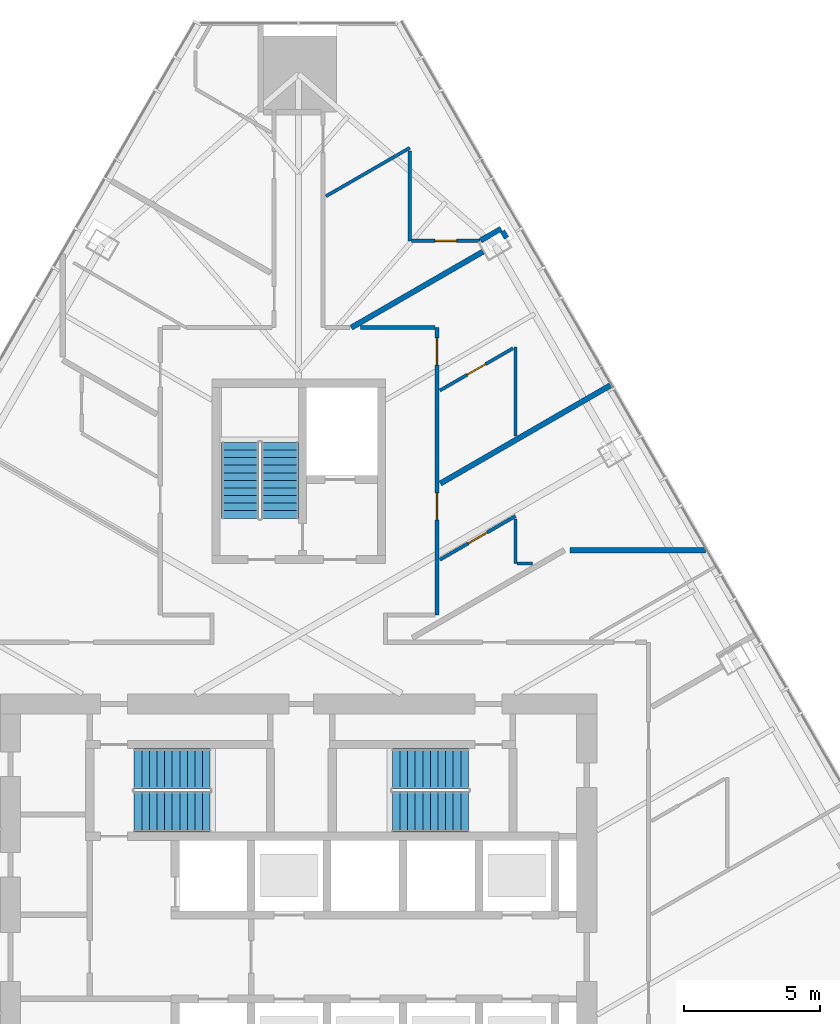
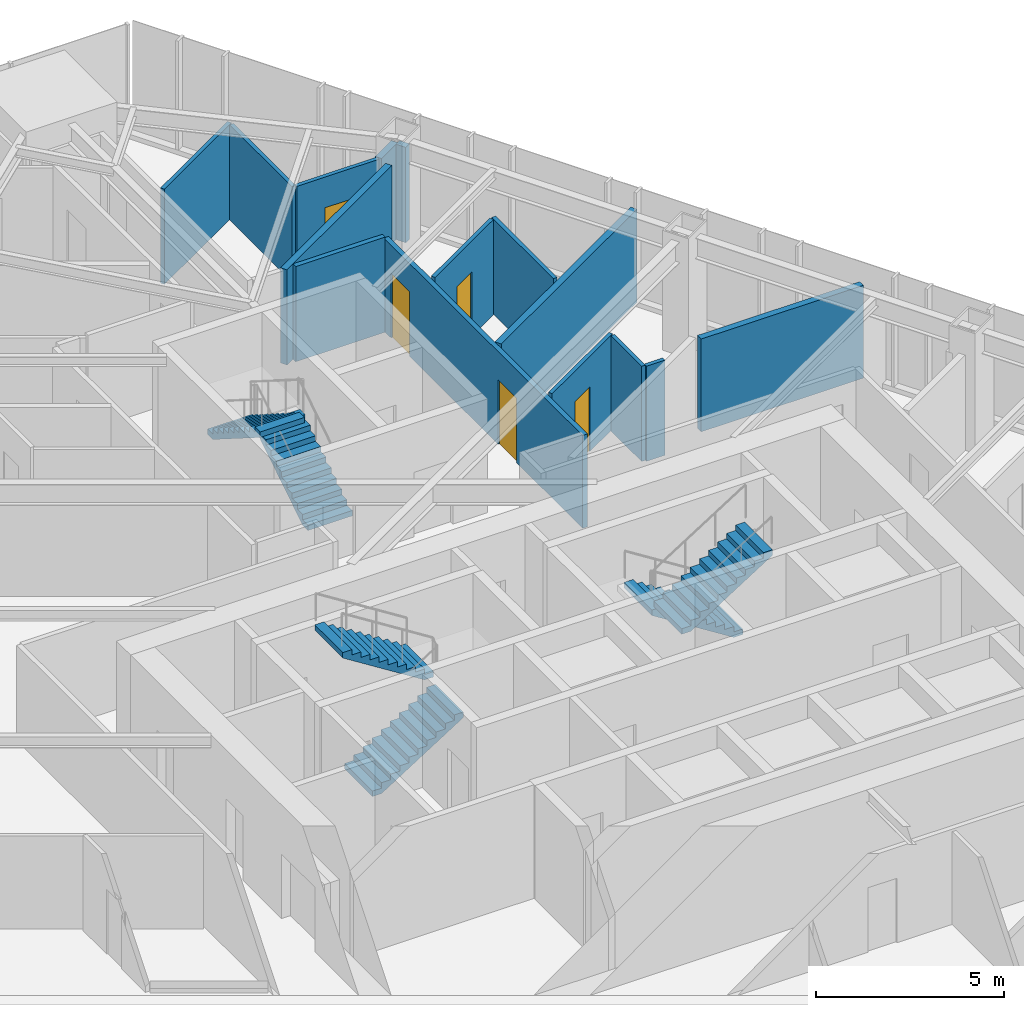
# One storey, part 17 of 19: 15 walls, 6 stair flights, 5 doors, 5 openings, 3 elements without a shape of their own.
"""IFC4 building model written with IfcOpenShell, lengths in metres."""

from ifc_helpers import new_model, si_unit, direction, frame, frame_2d, origin, place, context, subcontext, project, spatial, polyline, rectangle, outline, extrude, material, layer, layer_set, type_object, element, fill, aggregate, save


model = new_model("IFC4")

# Units and contexts
model_context = context("Model", 3, precision=1e-05, world=origin(), true_north=direction((0.0, 1.0)))
body_context = subcontext(model_context, "Body", "Model", "MODEL_VIEW")
ifc_project = project(units=[si_unit("LENGTHUNIT", "METRE"), si_unit("AREAUNIT", "SQUARE_METRE"), si_unit("VOLUMEUNIT", "CUBIC_METRE"), si_unit("PLANEANGLEUNIT", "RADIAN"), si_unit("MASSUNIT", "GRAM", prefix="KILO")], contexts=[model_context])

# Site, building, storey
site_placement = place(None, origin())
site = spatial("IfcSite", under=ifc_project, at=site_placement, CompositionType="ELEMENT")
building_placement = place(site_placement, origin())
building = spatial("IfcBuilding", under=site, at=building_placement, Name="Firuza Gate Tower and Library", CompositionType="ELEMENT")
storey_placement = place(building_placement, frame((0.0, 0.0, 179.199951171875)))
storey = spatial("IfcBuildingStorey", under=building, at=storey_placement, Name="L41", CompositionType="ELEMENT", Elevation=179.199951171875)

# Wall, openings, doors
ifc_material_1 = material(Name="Gypsum board partition")
ifc_layer_1 = layer(ifc_material_1, 0.14990234375)
ifc_layer_set_1 = layer_set([ifc_layer_1], Name="Corridor wall 150 double board on steel studs")
wall_type_1 = type_object("IfcWallType", Name="Corridor wall 150 double board on steel studs", PredefinedType="PARTITIONING", material=ifc_layer_set_1)
wall_1_placement = place(storey_placement, frame((80.10009765625, 96.49951171875, 0.0), z_axis=(0.0, 0.0, 1.0), x_axis=(0.0, -1.0, 0.0)))
wall_1 = element("IfcWall", 1, at=wall_1_placement, inside=storey, type_object=wall_type_1, Name="f:L41:w054", PredefinedType="PARTITIONING", context=body_context, shape_type="SweptSolid", body=[
    extrude(rectangle(XDim=10.599609375, YDim=0.14990234375, at=frame_2d((5.2998046875, 0.0))), origin(), (0.0, 0.0, 1.0), 3.02197265625),
])
opening_1_placement = place(wall_1_placement, frame((0.37744140625, 0.0, 0.0)))
opening_1 = element("IfcOpeningElement", 2, at=opening_1_placement, cuts=wall_1, Name="Opening L41-27", PredefinedType="OPENING", context=body_context, shape_type="SweptSolid", body=[
    extrude(rectangle(XDim=1.0, YDim=2.10009765625, at=frame_2d((0.5, 1.050048828125))), frame((0.0, 0.0849609375, 0.0), z_axis=(0.0, -1.0, 0.0), x_axis=(1.0, 0.0, 0.0)), (0.0, 0.0, 1.0), 0.169921875),
])
opening_2_placement = place(wall_1_placement, frame((6.086669921875, 0.0, 0.0)))
opening_2 = element("IfcOpeningElement", 3, at=opening_2_placement, cuts=wall_1, Name="Opening L41-28", PredefinedType="OPENING", context=body_context, shape_type="SweptSolid", body=[
    extrude(rectangle(XDim=1.0, YDim=2.10009765625, at=frame_2d((0.5, 1.050048828125))), frame((0.0, 0.0849609375, 0.0), z_axis=(0.0, -1.0, 0.0), x_axis=(1.0, 0.0, 0.0)), (0.0, 0.0, 1.0), 0.169921875),
])
ifc_material_2 = material(Name="Steel door and timber leaf", Category="steel")
door_type_1 = type_object("IfcDoorType", Name="Fire door 1000 x 2100 steel frame, timber leaf", OperationType="NOTDEFINED", PredefinedType="DOOR", material=ifc_material_2)
door_1_placement = place(opening_1_placement, origin())
door_1 = element("IfcDoor", 4, at=door_1_placement, inside=storey, type_object=door_type_1, Name="f:L41:d027", OperationType="SINGLE_SWING_LEFT", OverallHeight=2.10009765625, OverallWidth=1.0, PredefinedType="DOOR", context=body_context, shape_type="SweptSolid", body=[
    extrude(rectangle(XDim=1.0, YDim=2.10009765625, at=frame_2d((0.5, 1.050048828125))), frame((0.0, 0.02490234375, 0.0), z_axis=(0.0, -1.0, 0.0), x_axis=(1.0, 0.0, 0.0)), (0.0, 0.0, 1.0), 0.050048828125),
])
fill(opening_1, door_1)
door_2_placement = place(opening_2_placement, origin())
door_2 = element("IfcDoor", 5, at=door_2_placement, inside=storey, type_object=door_type_1, Name="f:L41:d028", OperationType="SINGLE_SWING_LEFT", OverallHeight=2.10009765625, OverallWidth=1.0, PredefinedType="DOOR", context=body_context, shape_type="SweptSolid", body=[
    extrude(rectangle(XDim=1.0, YDim=2.10009765625, at=frame_2d((0.5, 1.050048828125))), frame((0.0, 0.02490234375, 0.0), z_axis=(0.0, -1.0, 0.0), x_axis=(1.0, 0.0, 0.0)), (0.0, 0.0, 1.0), 0.050048828125),
])
fill(opening_2, door_2)

# Walls
wall_2_placement = place(storey_placement, frame((77.272705078125, 96.5, 0.0), z_axis=(0.0, 0.0, 1.0), x_axis=(1.0, 0.0, 0.0)))
element("IfcWall", 6, at=wall_2_placement, inside=storey, type_object=wall_type_1, Name="f:L41:w101", PredefinedType="PARTITIONING", context=body_context, shape_type="SweptSolid", body=[
    extrude(rectangle(XDim=2.751708984375, YDim=0.14990234375, at=frame_2d((1.3759765625, 0.0))), origin(), (0.0, 0.0, 1.0), 3.10009765625),
])
ifc_material_3 = material(Name="Gypsum board partition")
ifc_layer_2 = layer(ifc_material_3, 0.199951171875)
ifc_layer_set_2 = layer_set([ifc_layer_2], Name="Demising wall 200 acoustic double stud")
wall_type_2 = type_object("IfcWallType", Name="Demising wall 200 acoustic double stud", PredefinedType="PARTITIONING", material=ifc_layer_set_2)
wall_3_placement = place(storey_placement, frame((85.00244140625, 88.300048828125, 0.0), z_axis=(0.0, 0.0, 1.0), x_axis=(1.0, 0.0, 0.0)))
element("IfcWall", 7, at=wall_3_placement, inside=storey, type_object=wall_type_2, Name="f:L41:w015", PredefinedType="PARTITIONING", context=body_context, shape_type="SweptSolid", body=[
    extrude(rectangle(XDim=4.99755859375, YDim=0.199951171875, at=frame_2d((2.498779296875, 0.0))), origin(), (0.0, 0.0, 1.0), 3.02197265625),
])
wall_4_placement = place(storey_placement, frame((80.226806640625, 90.754150390625, 0.0), z_axis=(0.0, 0.0, 1.0), x_axis=(0.866019288795, 0.500010591322, 0.0)))
element("IfcWall", 8, at=wall_4_placement, inside=storey, type_object=wall_type_2, Name="f:L41:w034", PredefinedType="PARTITIONING", context=body_context, shape_type="SweptSolid", body=[
    extrude(rectangle(XDim=7.236572265625, YDim=0.199951171875, at=frame_2d((3.6181640625, 0.0))), origin(), (0.0, 0.0, 1.0), 3.02197265625),
])
wall_5_placement = place(storey_placement, frame((76.943359375, 96.500244140625, 0.0), z_axis=(0.0, 0.0, 1.0), x_axis=(0.866015917575, 0.500016430238, 0.0)))
element("IfcWall", 9, at=wall_5_placement, inside=storey, type_object=wall_type_2, Name="f:L41:w036", PredefinedType="PARTITIONING", context=body_context, shape_type="SweptSolid", body=[
    extrude(rectangle(XDim=5.607177734375, YDim=0.199951171875, at=frame_2d((2.8037109375, 0.0))), origin(), (0.0, 0.0, 1.0), 3.10009765625),
])
wall_6_placement = place(storey_placement, frame((81.7119140625, 99.71533203125, 0.0), z_axis=(0.0, 0.0, 1.0), x_axis=(0.866092063448, 0.499884524299, 0.0)))
element("IfcWall", 10, at=wall_6_placement, inside=storey, type_object=wall_type_2, Name="f:L41:w037", PredefinedType="PARTITIONING", context=body_context, shape_type="SweptSolid", body=[
    extrude(rectangle(XDim=0.869384765625, YDim=0.199951171875, at=frame_2d((0.4345703125, 0.0))), origin(), (0.0, 0.0, 1.0), 3.10009765625),
])
wall_7_placement = place(storey_placement, frame((82.665283203125, 99.803466796875, 0.0), z_axis=(0.0, 0.0, 1.0), x_axis=(-0.499910707084, 0.866076950936, 0.0)))
element("IfcWall", 11, at=wall_7_placement, inside=storey, type_object=wall_type_2, Name="f:L41:w081", PredefinedType="PARTITIONING", context=body_context, shape_type="SweptSolid", body=[
    extrude(rectangle(XDim=0.29931640625, YDim=0.199951171875, at=frame_2d((0.149658203125, 0.0))), origin(), (0.0, 0.0, 1.0), 3.10009765625),
])
ifc_material_4 = material(Name="Gypsum board partition")
ifc_layer_3 = layer(ifc_material_4, 0.1201171875)
ifc_layer_set_3 = layer_set([ifc_layer_3], Name="Wet-area partition 120 moisture-resistant board")
wall_type_3 = type_object("IfcWallType", Name="Wet-area partition 120 moisture-resistant board", PredefinedType="PARTITIONING", material=ifc_layer_set_3)
wall_8_placement = place(storey_placement, frame((83.06005859375, 87.800048828125, 0.0), z_axis=(0.0, 0.0, 1.0), x_axis=(1.0, 0.0, 0.0)))
element("IfcWall", 12, at=wall_8_placement, inside=storey, type_object=wall_type_3, Name="f:L41:w014", PredefinedType="PARTITIONING", context=body_context, shape_type="SweptSolid", body=[
    extrude(rectangle(XDim=0.564453125, YDim=0.1201171875, at=frame_2d((0.2822265625, 0.0))), origin(), (0.0, 0.0, 1.0), 3.10009765625),
])

# Wall, opening, door
wall_9_placement = place(storey_placement, frame((81.686279296875, 99.699951171875, 0.0), z_axis=(0.0, 0.0, 1.0), x_axis=(-1.0, 0.0, 0.0)))
wall_9 = element("IfcWall", 13, at=wall_9_placement, inside=storey, type_object=wall_type_3, Name="f:L41:w018", PredefinedType="PARTITIONING", context=body_context, shape_type="SweptSolid", body=[
    extrude(rectangle(XDim=2.5263671875, YDim=0.1201171875, at=frame_2d((1.26318359375, 0.0))), origin(), (0.0, 0.0, 1.0), 3.10009765625),
])
opening_3_placement = place(wall_9_placement, frame((0.863037109375, 0.0, 0.0)))
opening_3 = element("IfcOpeningElement", 14, at=opening_3_placement, cuts=wall_9, Name="Opening L41-12", PredefinedType="OPENING", context=body_context, shape_type="SweptSolid", body=[
    extrude(rectangle(XDim=0.800048828125, YDim=2.10009765625, at=frame_2d((0.39990234375, 1.050048828125))), frame((0.0, 0.070068359375, 0.0), z_axis=(0.0, -1.0, 0.0), x_axis=(1.0, 0.0, 0.0)), (0.0, 0.0, 1.0), 0.14013671875),
])
ifc_material_5 = material(Name="Timber door", Category="wood")
door_type_2 = type_object("IfcDoorType", Name="Door 800 x 2100 timber leaf", OperationType="NOTDEFINED", PredefinedType="DOOR", material=ifc_material_5)
door_3_placement = place(opening_3_placement, origin())
door_3 = element("IfcDoor", 15, at=door_3_placement, inside=storey, type_object=door_type_2, Name="f:L41:d012", OperationType="SINGLE_SWING_RIGHT", OverallHeight=2.10009765625, OverallWidth=0.800048828125, PredefinedType="DOOR", context=body_context, shape_type="SweptSolid", body=[
    extrude(rectangle(XDim=0.800048828125, YDim=2.10009765625, at=frame_2d((0.39990234375, 1.050048828125))), frame((0.0, 0.02490234375, 0.0), z_axis=(0.0, -1.0, 0.0), x_axis=(1.0, 0.0, 0.0)), (0.0, 0.0, 1.0), 0.050048828125),
])
fill(opening_3, door_3)

wall_10_placement = place(storey_placement, frame((83.0, 89.552734375, 0.0), z_axis=(0.0, 0.0, 1.0), x_axis=(-0.86604299788, -0.499969524894, 0.0)))
wall_10 = element("IfcWall", 16, at=wall_10_placement, inside=storey, type_object=wall_type_3, Name="f:L41:w033", PredefinedType="PARTITIONING", context=body_context, shape_type="SweptSolid", body=[
    extrude(rectangle(XDim=3.221923828125, YDim=0.1201171875, at=frame_2d((1.61083984375, 0.0))), origin(), (0.0, 0.0, 1.0), 3.10009765625),
])
opening_4_placement = place(wall_10_placement, frame((1.2109375, 0.0, 0.0)))
opening_4 = element("IfcOpeningElement", 17, at=opening_4_placement, cuts=wall_10, Name="Opening L41-22", PredefinedType="OPENING", context=body_context, shape_type="SweptSolid", body=[
    extrude(rectangle(XDim=0.800048828125, YDim=2.10009765625, at=frame_2d((0.39990234375, 1.050048828125))), frame((0.0, 0.070068359375, 0.0), z_axis=(0.0, -1.0, 0.0), x_axis=(1.0, 0.0, 0.0)), (0.0, 0.0, 1.0), 0.14013671875),
])
door_4_placement = place(opening_4_placement, origin())
door_4 = element("IfcDoor", 18, at=door_4_placement, inside=storey, type_object=door_type_2, Name="f:L41:d022", OperationType="SINGLE_SWING_RIGHT", OverallHeight=2.10009765625, OverallWidth=0.800048828125, PredefinedType="DOOR", context=body_context, shape_type="SweptSolid", body=[
    extrude(rectangle(XDim=0.800048828125, YDim=2.10009765625, at=frame_2d((0.39990234375, 1.050048828125))), frame((0.0, 0.02490234375, 0.0), z_axis=(0.0, -1.0, 0.0), x_axis=(1.0, 0.0, 0.0)), (0.0, 0.0, 1.0), 0.050048828125),
])
fill(opening_4, door_4)

wall_11_placement = place(storey_placement, frame((82.9052734375, 95.7392578125, 0.0), z_axis=(0.0, 0.0, 1.0), x_axis=(-0.866028856698, -0.499994019331, 0.0)))
wall_11 = element("IfcWall", 19, at=wall_11_placement, inside=storey, type_object=wall_type_3, Name="f:L41:w035", PredefinedType="PARTITIONING", context=body_context, shape_type="SweptSolid", body=[
    extrude(rectangle(XDim=3.11279296875, YDim=0.1201171875, at=frame_2d((1.556396484375, 0.0))), origin(), (0.0, 0.0, 1.0), 3.10009765625),
])
opening_5_placement = place(wall_11_placement, frame((1.156494140625, 0.0, 0.0)))
opening_5 = element("IfcOpeningElement", 20, at=opening_5_placement, cuts=wall_11, Name="Opening L41-23", PredefinedType="OPENING", context=body_context, shape_type="SweptSolid", body=[
    extrude(rectangle(XDim=0.800048828125, YDim=2.10009765625, at=frame_2d((0.39990234375, 1.050048828125))), frame((0.0, 0.070068359375, 0.0), z_axis=(0.0, -1.0, 0.0), x_axis=(1.0, 0.0, 0.0)), (0.0, 0.0, 1.0), 0.14013671875),
])
door_5_placement = place(opening_5_placement, origin())
door_5 = element("IfcDoor", 21, at=door_5_placement, inside=storey, type_object=door_type_2, Name="f:L41:d023", OperationType="SINGLE_SWING_RIGHT", OverallHeight=2.10009765625, OverallWidth=0.800048828125, PredefinedType="DOOR", context=body_context, shape_type="SweptSolid", body=[
    extrude(rectangle(XDim=0.800048828125, YDim=2.10009765625, at=frame_2d((0.39990234375, 1.050048828125))), frame((0.0, 0.02490234375, 0.0), z_axis=(0.0, -1.0, 0.0), x_axis=(1.0, 0.0, 0.0)), (0.0, 0.0, 1.0), 0.050048828125),
])
fill(opening_5, door_5)

# Walls
wall_12_placement = place(storey_placement, frame((76.009765625, 101.345703125, 0.0), z_axis=(0.0, 0.0, 1.0), x_axis=(0.866045460162, 0.499965259726, 0.0)))
element("IfcWall", 22, at=wall_12_placement, inside=storey, type_object=wall_type_3, Name="f:L41:w038", PredefinedType="PARTITIONING", context=body_context, shape_type="SweptSolid", body=[
    extrude(rectangle(XDim=3.568603515625, YDim=0.1201171875, at=frame_2d((1.7841796875, 0.0))), origin(), (0.0, 0.0, 1.0), 3.10009765625),
])
wall_13_placement = place(storey_placement, frame((83.0, 87.800048828125, 0.0), z_axis=(0.0, 0.0, 1.0), x_axis=(0.0, 1.0, 0.0)))
element("IfcWall", 23, at=wall_13_placement, inside=storey, type_object=wall_type_3, Name="f:L41:w051", PredefinedType="PARTITIONING", context=body_context, shape_type="SweptSolid", body=[
    extrude(rectangle(XDim=1.6435546875, YDim=0.1201171875, at=frame_2d((0.82177734375, 0.0))), origin(), (0.0, 0.0, 1.0), 3.10009765625),
])
wall_14_placement = place(storey_placement, frame((83.0, 92.510498046875, 0.0), z_axis=(0.0, 0.0, 1.0), x_axis=(0.0, 1.0, 0.0)))
element("IfcWall", 24, at=wall_14_placement, inside=storey, type_object=wall_type_3, Name="f:L41:w052", PredefinedType="PARTITIONING", context=body_context, shape_type="SweptSolid", body=[
    extrude(rectangle(XDim=3.283203125, YDim=0.1201171875, at=frame_2d((1.6416015625, 0.0))), origin(), (0.0, 0.0, 1.0), 3.10009765625),
])
wall_15_placement = place(storey_placement, frame((79.10009765625, 99.699951171875, 0.0), z_axis=(0.0, 0.0, 1.0), x_axis=(0.0, 1.0, 0.0)))
element("IfcWall", 25, at=wall_15_placement, inside=storey, type_object=wall_type_3, Name="f:L41:w056", PredefinedType="PARTITIONING", context=body_context, shape_type="SweptSolid", body=[
    extrude(rectangle(XDim=3.321044921875, YDim=0.1201171875, at=frame_2d((1.66064453125, 0.0))), origin(), (0.0, 0.0, 1.0), 3.10009765625),
])

# Stair, stair flights
ifc_material_6 = material(Name="Concrete C35/45", Category="concrete")
stair_type_1 = type_object("IfcStairType", Name="Exit stair ST16", PredefinedType="HALF_TURN_STAIR", material=ifc_material_6)
placement = place(storey_placement, origin())
stair_1 = element("IfcStair", 26, at=placement, inside=storey, type_object=stair_type_1, Name="L41 Stair ST3", PredefinedType="HALF_TURN_STAIR")
ifc_material_7 = material(Name="Concrete C35/45", Category="concrete")
stair_flight_type_1 = type_object("IfcStairFlightType", Name="Stair flight 11 risers 177.3 width 1370", PredefinedType="STRAIGHT", material=ifc_material_7)
stair_flight_1_placement = place(storey_placement, frame((74.31494140625, 89.469970703125, 0.0), z_axis=(0.0, 0.0, 1.0), x_axis=(0.0, 1.0, 0.0)))
stair_flight_1 = element("IfcStairFlight", 27, at=stair_flight_1_placement, type_object=stair_flight_type_1, Name="ST3 flight 1", NumberOfRisers=11, NumberOfTreads=10, PredefinedType="STRAIGHT", RiserHeight=0.177272727, TreadLength=0.28, context=body_context, shape_type="SweptSolid", body=[
    extrude(outline(polyline([(0.0, 0.0), (0.0, 0.17724609375), (0.280029296875, 0.17724609375), (0.280029296875, 0.3544921875), (0.56005859375, 0.3544921875), (0.56005859375, 0.53173828125), (0.840087890625, 0.53173828125), (0.840087890625, 0.708984375), (1.1201171875, 0.708984375), (1.1201171875, 0.886474609375), (1.39990234375, 0.886474609375), (1.39990234375, 1.063720703125), (1.679931640625, 1.063720703125), (1.679931640625, 1.240966796875), (1.9599609375, 1.240966796875), (1.9599609375, 1.418212890625), (2.239990234375, 1.418212890625), (2.239990234375, 1.595458984375), (2.52001953125, 1.595458984375), (2.52001953125, 1.772705078125), (2.800048828125, 1.772705078125), (2.800048828125, 1.949951171875), (2.800048828125, 1.59521484375), (0.2802734375, 0.0), (0.0, 0.0)])), frame((0.0, 0.68505859375, 0.0), z_axis=(0.0, -1.0, 0.0), x_axis=(1.0, 0.0, 0.0)), (0.0, 0.0, 1.0), 1.3701171875),
])
stair_flight_2_placement = place(storey_placement, frame((72.844970703125, 92.27001953125, 1.949951171875), z_axis=(0.0, 0.0, 1.0), x_axis=(0.0, -1.0, 0.0)))
stair_flight_2 = element("IfcStairFlight", 28, at=stair_flight_2_placement, type_object=stair_flight_type_1, Name="ST3 flight 2", NumberOfRisers=11, NumberOfTreads=10, PredefinedType="STRAIGHT", RiserHeight=0.177272727, TreadLength=0.28, context=body_context, shape_type="SweptSolid", body=[
    extrude(outline(polyline([(0.0, 0.0), (0.0, 0.17724609375), (0.280029296875, 0.17724609375), (0.280029296875, 0.3544921875), (0.56005859375, 0.3544921875), (0.56005859375, 0.53173828125), (0.840087890625, 0.53173828125), (0.840087890625, 0.708984375), (1.1201171875, 0.708984375), (1.1201171875, 0.886474609375), (1.39990234375, 0.886474609375), (1.39990234375, 1.063720703125), (1.679931640625, 1.063720703125), (1.679931640625, 1.240966796875), (1.9599609375, 1.240966796875), (1.9599609375, 1.418212890625), (2.239990234375, 1.418212890625), (2.239990234375, 1.595458984375), (2.52001953125, 1.595458984375), (2.52001953125, 1.772705078125), (2.800048828125, 1.772705078125), (2.800048828125, 1.949951171875), (2.800048828125, 1.59521484375), (0.2802734375, 0.0), (0.0, 0.0)])), frame((0.0, 0.68505859375, 0.0), z_axis=(0.0, -1.0, 0.0), x_axis=(1.0, 0.0, 0.0)), (0.0, 0.0, 1.0), 1.3701171875),
])
aggregate(stair_1, [stair_flight_1, stair_flight_2])

ifc_material_8 = material(Name="Concrete C35/45", Category="concrete")
stair_type_2 = type_object("IfcStairType", Name="Exit stair ST7", PredefinedType="HALF_TURN_STAIR", material=ifc_material_8)
stair_2 = element("IfcStair", 29, at=placement, inside=storey, type_object=stair_type_2, Name="L41 Stair ST1", PredefinedType="HALF_TURN_STAIR")
ifc_material_9 = material(Name="Concrete C35/45", Category="concrete")
stair_flight_type_2 = type_object("IfcStairFlightType", Name="Stair flight 11 risers 177.3 width 1490", PredefinedType="STRAIGHT", material=ifc_material_9)
stair_flight_3_placement = place(storey_placement, frame((68.93994140625, 78.64501953125, 0.0), z_axis=(0.0, 0.0, 1.0), x_axis=(1.0, 0.0, 0.0)))
stair_flight_3 = element("IfcStairFlight", 30, at=stair_flight_3_placement, type_object=stair_flight_type_2, Name="ST1 flight 1", NumberOfRisers=11, NumberOfTreads=10, PredefinedType="STRAIGHT", RiserHeight=0.177272727, TreadLength=0.28, context=body_context, shape_type="SweptSolid", body=[
    extrude(outline(polyline([(0.0, 0.0), (0.0, 0.17724609375), (0.280029296875, 0.17724609375), (0.280029296875, 0.3544921875), (0.56005859375, 0.3544921875), (0.56005859375, 0.53173828125), (0.840087890625, 0.53173828125), (0.840087890625, 0.708984375), (1.1201171875, 0.708984375), (1.1201171875, 0.886474609375), (1.39990234375, 0.886474609375), (1.39990234375, 1.063720703125), (1.679931640625, 1.063720703125), (1.679931640625, 1.240966796875), (1.9599609375, 1.240966796875), (1.9599609375, 1.418212890625), (2.239990234375, 1.418212890625), (2.239990234375, 1.595458984375), (2.52001953125, 1.595458984375), (2.52001953125, 1.772705078125), (2.800048828125, 1.772705078125), (2.800048828125, 1.949951171875), (2.800048828125, 1.59521484375), (0.2802734375, 0.0), (0.0, 0.0)])), frame((0.0, 0.7451171875, 0.0), z_axis=(0.0, -1.0, 0.0), x_axis=(1.0, 0.0, 0.0)), (0.0, 0.0, 1.0), 1.489990234375),
])
stair_flight_4_placement = place(storey_placement, frame((71.739990234375, 80.235107421875, 1.949951171875), z_axis=(0.0, 0.0, 1.0), x_axis=(-1.0, 0.0, 0.0)))
stair_flight_4 = element("IfcStairFlight", 31, at=stair_flight_4_placement, type_object=stair_flight_type_2, Name="ST1 flight 2", NumberOfRisers=11, NumberOfTreads=10, PredefinedType="STRAIGHT", RiserHeight=0.177272727, TreadLength=0.28, context=body_context, shape_type="SweptSolid", body=[
    extrude(outline(polyline([(0.0, 0.0), (0.0, 0.17724609375), (0.280029296875, 0.17724609375), (0.280029296875, 0.3544921875), (0.56005859375, 0.3544921875), (0.56005859375, 0.53173828125), (0.840087890625, 0.53173828125), (0.840087890625, 0.708984375), (1.1201171875, 0.708984375), (1.1201171875, 0.886474609375), (1.39990234375, 0.886474609375), (1.39990234375, 1.063720703125), (1.679931640625, 1.063720703125), (1.679931640625, 1.240966796875), (1.9599609375, 1.240966796875), (1.9599609375, 1.418212890625), (2.239990234375, 1.418212890625), (2.239990234375, 1.595458984375), (2.52001953125, 1.595458984375), (2.52001953125, 1.772705078125), (2.800048828125, 1.772705078125), (2.800048828125, 1.949951171875), (2.800048828125, 1.59521484375), (0.2802734375, 0.0), (0.0, 0.0)])), frame((0.0, 0.7451171875, 0.0), z_axis=(0.0, -1.0, 0.0), x_axis=(1.0, 0.0, 0.0)), (0.0, 0.0, 1.0), 1.489990234375),
])
aggregate(stair_2, [stair_flight_3, stair_flight_4])

stair_3 = element("IfcStair", 32, at=placement, inside=storey, type_object=stair_type_2, Name="L41 Stair ST2", PredefinedType="HALF_TURN_STAIR")
stair_flight_5_placement = place(storey_placement, frame((81.260009765625, 80.235107421875, 0.0), z_axis=(0.0, 0.0, 1.0), x_axis=(-1.0, 0.0, 0.0)))
stair_flight_5 = element("IfcStairFlight", 33, at=stair_flight_5_placement, type_object=stair_flight_type_2, Name="ST2 flight 1", NumberOfRisers=11, NumberOfTreads=10, PredefinedType="STRAIGHT", RiserHeight=0.177272727, TreadLength=0.28, context=body_context, shape_type="SweptSolid", body=[
    extrude(outline(polyline([(0.0, 0.0), (0.0, 0.17724609375), (0.280029296875, 0.17724609375), (0.280029296875, 0.3544921875), (0.56005859375, 0.3544921875), (0.56005859375, 0.53173828125), (0.840087890625, 0.53173828125), (0.840087890625, 0.708984375), (1.1201171875, 0.708984375), (1.1201171875, 0.886474609375), (1.39990234375, 0.886474609375), (1.39990234375, 1.063720703125), (1.679931640625, 1.063720703125), (1.679931640625, 1.240966796875), (1.9599609375, 1.240966796875), (1.9599609375, 1.418212890625), (2.239990234375, 1.418212890625), (2.239990234375, 1.595458984375), (2.52001953125, 1.595458984375), (2.52001953125, 1.772705078125), (2.800048828125, 1.772705078125), (2.800048828125, 1.949951171875), (2.800048828125, 1.59521484375), (0.2802734375, 0.0), (0.0, 0.0)])), frame((0.0, 0.7451171875, 0.0), z_axis=(0.0, -1.0, 0.0), x_axis=(1.0, 0.0, 0.0)), (0.0, 0.0, 1.0), 1.489990234375),
])
stair_flight_6_placement = place(storey_placement, frame((78.4599609375, 78.64501953125, 1.949951171875), z_axis=(0.0, 0.0, 1.0), x_axis=(1.0, 0.0, 0.0)))
stair_flight_6 = element("IfcStairFlight", 34, at=stair_flight_6_placement, type_object=stair_flight_type_2, Name="ST2 flight 2", NumberOfRisers=11, NumberOfTreads=10, PredefinedType="STRAIGHT", RiserHeight=0.177272727, TreadLength=0.28, context=body_context, shape_type="SweptSolid", body=[
    extrude(outline(polyline([(0.0, 0.0), (0.0, 0.17724609375), (0.280029296875, 0.17724609375), (0.280029296875, 0.3544921875), (0.56005859375, 0.3544921875), (0.56005859375, 0.53173828125), (0.840087890625, 0.53173828125), (0.840087890625, 0.708984375), (1.1201171875, 0.708984375), (1.1201171875, 0.886474609375), (1.39990234375, 0.886474609375), (1.39990234375, 1.063720703125), (1.679931640625, 1.063720703125), (1.679931640625, 1.240966796875), (1.9599609375, 1.240966796875), (1.9599609375, 1.418212890625), (2.239990234375, 1.418212890625), (2.239990234375, 1.595458984375), (2.52001953125, 1.595458984375), (2.52001953125, 1.772705078125), (2.800048828125, 1.772705078125), (2.800048828125, 1.949951171875), (2.800048828125, 1.59521484375), (0.2802734375, 0.0), (0.0, 0.0)])), frame((0.0, 0.7451171875, 0.0), z_axis=(0.0, -1.0, 0.0), x_axis=(1.0, 0.0, 0.0)), (0.0, 0.0, 1.0), 1.489990234375),
])
aggregate(stair_3, [stair_flight_5, stair_flight_6])

save(model, "model.ifc")
